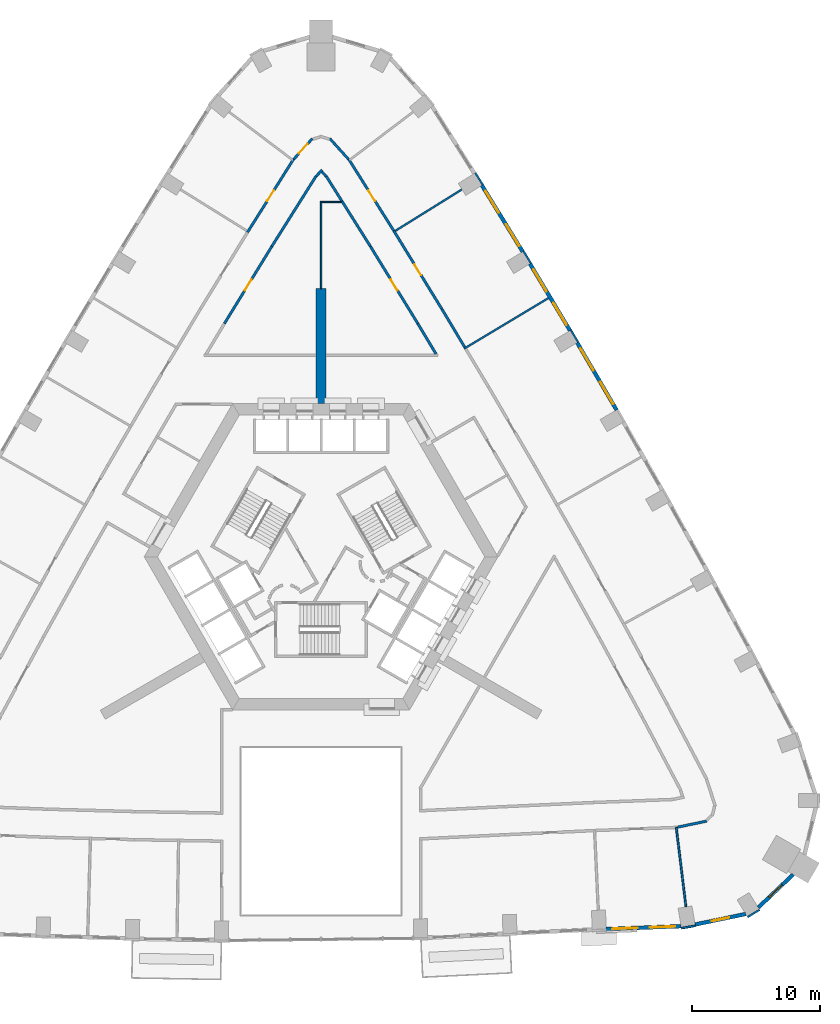
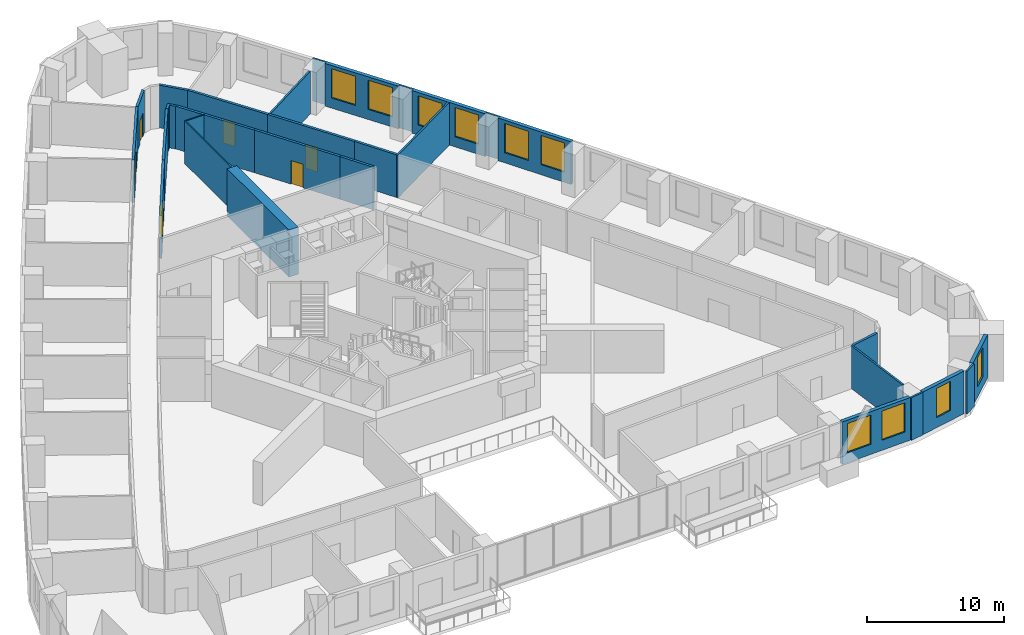
# One storey, part 10 of 14: 32 walls, 10 windows, 6 doors, 16 openings.
"""IFC4 building model written with IfcOpenShell, lengths in metres."""

from ifc_helpers import new_model, si_unit, direction, frame, frame_2d, origin, place, context, subcontext, project, spatial, rectangle, extrude, material, layer, layer_set, type_object, element, fill, save


model = new_model("IFC4")

# Units and contexts
model_context = context("Model", 3, precision=1e-05, world=origin(), true_north=direction((0.0, 1.0)))
body_context = subcontext(model_context, "Body", "Model", "MODEL_VIEW")
ifc_project = project(units=[si_unit("LENGTHUNIT", "METRE"), si_unit("AREAUNIT", "SQUARE_METRE"), si_unit("VOLUMEUNIT", "CUBIC_METRE"), si_unit("PLANEANGLEUNIT", "RADIAN"), si_unit("MASSUNIT", "GRAM", prefix="KILO")], contexts=[model_context])

# Site, building, storey
site_placement = place(None, origin())
site = spatial("IfcSite", under=ifc_project, at=site_placement, CompositionType="ELEMENT")
building_placement = place(site_placement, origin())
building = spatial("IfcBuilding", under=site, at=building_placement, Name="Entoto Arch Interchange Tower", CompositionType="ELEMENT")
storey_placement = place(building_placement, frame((0.0, 0.0, 116.0)))
storey = spatial("IfcBuildingStorey", under=building, at=storey_placement, Name="L25", CompositionType="ELEMENT", Elevation=116.0)

# Walls
ifc_material_1 = material(Name="Concrete C60/75", Category="concrete")
ifc_layer_1 = layer(ifc_material_1, 0.800048828125)
ifc_layer_set_1 = layer_set([ifc_layer_1], Name="Concrete C60/75")
wall_type_1 = type_object("IfcWallType", Name="Buttress wall 800 C60/75", PredefinedType="SHEAR", material=ifc_layer_set_1)
wall_1_placement = place(storey_placement, frame((0.0, 14.5, -0.39990234375), z_axis=(0.0, 0.0, 1.0), x_axis=(0.0, 1.0, 0.0)))
element("IfcWall", 1, at=wall_1_placement, inside=storey, type_object=wall_type_1, Name="Buttress wall N L25", PredefinedType="SHEAR", context=body_context, shape_type="SweptSolid", body=[
    extrude(rectangle(XDim=9.0, YDim=0.800048828125, at=frame_2d((4.5, 0.0))), origin(), (0.0, 0.0, 1.0), 4.199951171875),
])
ifc_material_2 = material(Name="Gypsum board partition on steel studs", Category="steel")
ifc_layer_2 = layer(ifc_material_2, 0.10009765625)
ifc_layer_set_2 = layer_set([ifc_layer_2], Name="Gypsum board partition on steel studs")
wall_type_2 = type_object("IfcWallType", Name="PARTITION 100", PredefinedType="PARTITIONING", material=ifc_layer_set_2)
wall_2_placement = place(storey_placement, frame((0.0, 23.5, 0.0), z_axis=(0.0, 0.0, 1.0), x_axis=(0.0, 1.0, 0.0)))
element("IfcWall", 2, at=wall_2_placement, inside=storey, type_object=wall_type_2, Name="wall:L25:p117", PredefinedType="PARTITIONING", context=body_context, shape_type="SweptSolid", body=[
    extrude(rectangle(XDim=6.85009765625, YDim=0.10009765625, at=frame_2d((3.425048828125, 0.0))), origin(), (0.0, 0.0, 1.0), 3.800048828125),
])
wall_3_placement = place(storey_placement, frame((0.050048828125, 30.300048828125, 0.0), z_axis=(0.0, 0.0, 1.0), x_axis=(1.0, 0.0, 0.0)))
element("IfcWall", 3, at=wall_3_placement, inside=storey, type_object=wall_type_2, Name="wall:L25:p118", PredefinedType="PARTITIONING", context=body_context, shape_type="SweptSolid", body=[
    extrude(rectangle(XDim=1.51806640625, YDim=0.10009765625, at=frame_2d((0.759033203125, 0.0))), origin(), (0.0, 0.0, 1.0), 3.800048828125),
])
ifc_layer_3 = layer(ifc_material_2, 0.14990234375)
ifc_layer_set_3 = layer_set([ifc_layer_3], Name="Gypsum board partition on steel studs")
wall_type_3 = type_object("IfcWallType", Name="PARTITION 150", PredefinedType="PARTITIONING", material=ifc_layer_set_3)
wall_4_placement = place(storey_placement, frame((27.822021484375, -18.7041015625, 0.0), z_axis=(0.0, 0.0, 1.0), x_axis=(0.121325411006, -0.992612786863, 0.0)))
element("IfcWall", 4, at=wall_4_placement, inside=storey, type_object=wall_type_3, Name="wall:L25:p120", PredefinedType="PARTITIONING", context=body_context, shape_type="SweptSolid", body=[
    extrude(rectangle(XDim=6.256103515625, YDim=0.14990234375, at=frame_2d((3.1279296875, 0.0))), origin(), (0.0, 0.0, 1.0), 3.800048828125),
])
wall_5_placement = place(storey_placement, frame((11.201904296875, 18.802978515625, 0.0), z_axis=(0.0, 0.0, 1.0), x_axis=(0.857778149162, 0.514020084062, 0.0)))
element("IfcWall", 5, at=wall_5_placement, inside=storey, type_object=wall_type_3, Name="wall:L25:p123", PredefinedType="PARTITIONING", context=body_context, shape_type="SweptSolid", body=[
    extrude(rectangle(XDim=7.7001953125, YDim=0.14990234375, at=frame_2d((3.85009765625, 0.0))), origin(), (0.0, 0.0, 1.0), 3.800048828125),
])
wall_6_placement = place(storey_placement, frame((5.81396484375, 28.031005859375, 0.0), z_axis=(0.0, 0.0, 1.0), x_axis=(0.849222099047, 0.528035819324, 0.0)))
element("IfcWall", 6, at=wall_6_placement, inside=storey, type_object=wall_type_3, Name="wall:L25:p124", PredefinedType="PARTITIONING", context=body_context, shape_type="SweptSolid", body=[
    extrude(rectangle(XDim=6.13037109375, YDim=0.14990234375, at=frame_2d((3.065185546875, 0.0))), origin(), (0.0, 0.0, 1.0), 3.800048828125),
])
ifc_layer_4 = layer(ifc_material_2, 0.199951171875)
ifc_layer_set_4 = layer_set([ifc_layer_4], Name="Gypsum board partition on steel studs")
wall_type_4 = type_object("IfcWallType", Name="PARTITION 200", PredefinedType="PARTITIONING", material=ifc_layer_set_4)
wall_7_placement = place(storey_placement, frame((9.0029296875, 18.385986328125, 0.0), z_axis=(0.0, 0.0, 1.0), x_axis=(-0.513900868925, 0.857849577092, 0.0)))
element("IfcWall", 7, at=wall_7_placement, inside=storey, type_object=wall_type_4, Name="wall:L25:p009", PredefinedType="PARTITIONING", context=body_context, shape_type="SweptSolid", body=[
    extrude(rectangle(XDim=2.77685546875, YDim=0.199951171875, at=frame_2d((1.388427734375, 0.0))), origin(), (0.0, 0.0, 1.0), 3.800048828125),
])

# Wall, opening, door
wall_8_placement = place(storey_placement, frame((7.575927734375, 20.76806640625, 0.0), z_axis=(0.0, 0.0, 1.0), x_axis=(-0.523390991338, 0.852092641786, 0.0)))
wall_8 = element("IfcWall", 8, at=wall_8_placement, inside=storey, type_object=wall_type_4, Name="wall:L25:p010", PredefinedType="PARTITIONING", context=body_context, shape_type="SweptSolid", body=[
    extrude(rectangle(XDim=7.09765625, YDim=0.199951171875, at=frame_2d((3.548828125, 0.0))), origin(), (0.0, 0.0, 1.0), 3.800048828125),
])
opening_1_placement = place(wall_8_placement, frame((3.049072265625, 0.0, 0.0)))
opening_1 = element("IfcOpeningElement", 9, at=opening_1_placement, cuts=wall_8, Name="Opening L25-D21", PredefinedType="OPENING", context=body_context, shape_type="SweptSolid", body=[
    extrude(rectangle(XDim=1.0, YDim=2.10009765625, at=frame_2d((0.5, 1.050048828125))), frame((0.0, 0.10986328125, 0.0), z_axis=(0.0, -1.0, 0.0), x_axis=(1.0, 0.0, 0.0)), (0.0, 0.0, 1.0), 0.219970703125),
])
ifc_material_3 = material(Name="Timber door leaf in Steel S235 frame", Category="steel")
door_type = type_object("IfcDoorType", Name="DOOR DS-10 1000x2100", OperationType="SINGLE_SWING_LEFT", PredefinedType="DOOR", material=ifc_material_3)
door_1_placement = place(opening_1_placement, origin())
door_1 = element("IfcDoor", 10, at=door_1_placement, inside=storey, type_object=door_type, Name="door:L25:21", OperationType="SINGLE_SWING_LEFT", OverallHeight=2.10009765625, OverallWidth=1.0, PredefinedType="DOOR", context=body_context, shape_type="SweptSolid", body=[
    extrude(rectangle(XDim=1.0, YDim=2.10009765625, at=frame_2d((0.5, 1.050048828125))), frame((0.0, 0.02490234375, 0.0), z_axis=(0.0, -1.0, 0.0), x_axis=(1.0, 0.0, 0.0)), (0.0, 0.0, 1.0), 0.050048828125),
])
fill(opening_1, door_1)

# Walls
wall_9_placement = place(storey_placement, frame((3.861083984375, 26.81591796875, 0.0), z_axis=(0.0, 0.0, 1.0), x_axis=(-0.532782188792, 0.846252408745, 0.0)))
element("IfcWall", 11, at=wall_9_placement, inside=storey, type_object=wall_type_4, Name="wall:L25:p011", PredefinedType="PARTITIONING", context=body_context, shape_type="SweptSolid", body=[
    extrude(rectangle(XDim=4.166748046875, YDim=0.199951171875, at=frame_2d((2.08349609375, 0.0))), origin(), (0.0, 0.0, 1.0), 3.800048828125),
])
wall_10_placement = place(storey_placement, frame((1.64111328125, 30.342041015625, 0.0), z_axis=(0.0, 0.0, 1.0), x_axis=(-0.532732797088, 0.846283502679, 0.0)))
element("IfcWall", 12, at=wall_10_placement, inside=storey, type_object=wall_type_4, Name="wall:L25:p012", PredefinedType="PARTITIONING", context=body_context, shape_type="SweptSolid", body=[
    extrude(rectangle(XDim=2.33349609375, YDim=0.199951171875, at=frame_2d((1.166748046875, 0.0))), origin(), (0.0, 0.0, 1.0), 3.800048828125),
])
wall_11_placement = place(storey_placement, frame((0.384033203125, 32.305908203125, 0.0), z_axis=(0.0, 0.0, 1.0), x_axis=(-0.669306261406, 0.742986627365, 0.0)))
element("IfcWall", 13, at=wall_11_placement, inside=storey, type_object=wall_type_4, Name="wall:L25:p013", PredefinedType="PARTITIONING", context=body_context, shape_type="SweptSolid", body=[
    extrude(rectangle(XDim=0.473876953125, YDim=0.199951171875, at=frame_2d((0.23681640625, 0.0))), origin(), (0.0, 0.0, 1.0), 3.800048828125),
])
wall_12_placement = place(storey_placement, frame((0.06689453125, 32.806884765625, 0.0), z_axis=(0.0, 0.0, 1.0), x_axis=(-0.66900475403, -0.74325812413, 0.0)))
element("IfcWall", 14, at=wall_12_placement, inside=storey, type_object=wall_type_4, Name="wall:L25:p014", PredefinedType="PARTITIONING", context=body_context, shape_type="SweptSolid", body=[
    extrude(rectangle(XDim=0.674072265625, YDim=0.199951171875, at=frame_2d((0.3369140625, 0.0))), origin(), (0.0, 0.0, 1.0), 3.800048828125),
])
wall_13_placement = place(storey_placement, frame((-0.39794921875, 32.31689453125, 0.0), z_axis=(0.0, 0.0, 1.0), x_axis=(-0.53276445777, -0.846263571553, 0.0)))
element("IfcWall", 15, at=wall_13_placement, inside=storey, type_object=wall_type_4, Name="wall:L25:p015", PredefinedType="PARTITIONING", context=body_context, shape_type="SweptSolid", body=[
    extrude(rectangle(XDim=6.500244140625, YDim=0.199951171875, at=frame_2d((3.25, 0.0))), origin(), (0.0, 0.0, 1.0), 3.800048828125),
])

# Wall, opening, door
wall_14_placement = place(storey_placement, frame((-3.861083984375, 26.81591796875, 0.0), z_axis=(0.0, 0.0, 1.0), x_axis=(-0.523390991338, -0.852092641786, 0.0)))
wall_14 = element("IfcWall", 16, at=wall_14_placement, inside=storey, type_object=wall_type_4, Name="wall:L25:p016", PredefinedType="PARTITIONING", context=body_context, shape_type="SweptSolid", body=[
    extrude(rectangle(XDim=7.09765625, YDim=0.199951171875, at=frame_2d((3.548828125, 0.0))), origin(), (0.0, 0.0, 1.0), 3.800048828125),
])
opening_2_placement = place(wall_14_placement, frame((3.049072265625, 0.0, 0.0)))
opening_2 = element("IfcOpeningElement", 17, at=opening_2_placement, cuts=wall_14, Name="Opening L25-D22", PredefinedType="OPENING", context=body_context, shape_type="SweptSolid", body=[
    extrude(rectangle(XDim=1.0, YDim=2.10009765625, at=frame_2d((0.5, 1.050048828125))), frame((0.0, 0.10986328125, 0.0), z_axis=(0.0, -1.0, 0.0), x_axis=(1.0, 0.0, 0.0)), (0.0, 0.0, 1.0), 0.219970703125),
])
door_2_placement = place(opening_2_placement, origin())
door_2 = element("IfcDoor", 18, at=door_2_placement, inside=storey, type_object=door_type, Name="door:L25:22", OperationType="SINGLE_SWING_LEFT", OverallHeight=2.10009765625, OverallWidth=1.0, PredefinedType="DOOR", context=body_context, shape_type="SweptSolid", body=[
    extrude(rectangle(XDim=1.0, YDim=2.10009765625, at=frame_2d((0.5, 1.050048828125))), frame((0.0, 0.02490234375, 0.0), z_axis=(0.0, -1.0, 0.0), x_axis=(1.0, 0.0, 0.0)), (0.0, 0.0, 1.0), 0.050048828125),
])
fill(opening_2, door_2)

# Wall
wall_15_placement = place(storey_placement, frame((30.208984375, -18.2080078125, 0.0), z_axis=(0.0, 0.0, 1.0), x_axis=(-0.979049860969, -0.203620651545, 0.0)))
element("IfcWall", 19, at=wall_15_placement, inside=storey, type_object=wall_type_4, Name="wall:L25:p044", PredefinedType="PARTITIONING", context=body_context, shape_type="SweptSolid", body=[
    extrude(rectangle(XDim=2.338134765625, YDim=0.199951171875, at=frame_2d((1.1689453125, 0.0))), origin(), (0.0, 0.0, 1.0), 3.800048828125),
])

# Wall, opening, door
wall_16_placement = place(storey_placement, frame((5.68994140625, 28.0419921875, 0.0), z_axis=(0.0, 0.0, 1.0), x_axis=(0.523381868706, -0.852098245222, 0.0)))
wall_16 = element("IfcWall", 20, at=wall_16_placement, inside=storey, type_object=wall_type_4, Name="wall:L25:p050", PredefinedType="PARTITIONING", context=body_context, shape_type="SweptSolid", body=[
    extrude(rectangle(XDim=7.197509765625, YDim=0.199951171875, at=frame_2d((3.5986328125, 0.0))), origin(), (0.0, 0.0, 1.0), 3.800048828125),
])
opening_3_placement = place(wall_16_placement, frame((3.09912109375, 0.0, 0.0)))
opening_3 = element("IfcOpeningElement", 21, at=opening_3_placement, cuts=wall_16, Name="Opening L25-D06", PredefinedType="OPENING", context=body_context, shape_type="SweptSolid", body=[
    extrude(rectangle(XDim=1.0, YDim=2.10009765625, at=frame_2d((0.5, 1.050048828125))), frame((0.0, 0.10986328125, 0.0), z_axis=(0.0, -1.0, 0.0), x_axis=(1.0, 0.0, 0.0)), (0.0, 0.0, 1.0), 0.219970703125),
])
door_3_placement = place(opening_3_placement, origin())
door_3 = element("IfcDoor", 22, at=door_3_placement, inside=storey, type_object=door_type, Name="door:L25:06", OperationType="SINGLE_SWING_LEFT", OverallHeight=2.10009765625, OverallWidth=1.0, PredefinedType="DOOR", context=body_context, shape_type="SweptSolid", body=[
    extrude(rectangle(XDim=1.0, YDim=2.10009765625, at=frame_2d((0.5, 1.050048828125))), frame((0.0, 0.02490234375, 0.0), z_axis=(0.0, -1.0, 0.0), x_axis=(1.0, 0.0, 0.0)), (0.0, 0.0, 1.0), 0.050048828125),
])
fill(opening_3, door_3)

# Wall
wall_17_placement = place(storey_placement, frame((9.45703125, 21.908935546875, 0.0), z_axis=(0.0, 0.0, 1.0), x_axis=(0.513949903813, -0.857820200491, 0.0)))
element("IfcWall", 23, at=wall_17_placement, inside=storey, type_object=wall_type_4, Name="wall:L25:p051", PredefinedType="PARTITIONING", context=body_context, shape_type="SweptSolid", body=[
    extrude(rectangle(XDim=3.48681640625, YDim=0.199951171875, at=frame_2d((1.743408203125, 0.0))), origin(), (0.0, 0.0, 1.0), 3.800048828125),
])

# Wall, opening, door
wall_18_placement = place(storey_placement, frame((2.158935546875, 33.64892578125, 0.0), z_axis=(0.0, 0.0, 1.0), x_axis=(0.532784927572, -0.846250684462, 0.0)))
wall_18 = element("IfcWall", 24, at=wall_18_placement, inside=storey, type_object=wall_type_4, Name="wall:L25:p052", PredefinedType="PARTITIONING", context=body_context, shape_type="SweptSolid", body=[
    extrude(rectangle(XDim=6.625732421875, YDim=0.199951171875, at=frame_2d((3.31298828125, 0.0))), origin(), (0.0, 0.0, 1.0), 3.800048828125),
])
opening_4_placement = place(wall_18_placement, frame((2.887939453125, 0.0, 0.0)))
opening_4 = element("IfcOpeningElement", 25, at=opening_4_placement, cuts=wall_18, Name="Opening L25-D07", PredefinedType="OPENING", context=body_context, shape_type="SweptSolid", body=[
    extrude(rectangle(XDim=1.0, YDim=2.10009765625, at=frame_2d((0.5, 1.050048828125))), frame((0.0, 0.10986328125, 0.0), z_axis=(0.0, -1.0, 0.0), x_axis=(1.0, 0.0, 0.0)), (0.0, 0.0, 1.0), 0.219970703125),
])
door_4_placement = place(opening_4_placement, origin())
door_4 = element("IfcDoor", 26, at=door_4_placement, inside=storey, type_object=door_type, Name="door:L25:07", OperationType="SINGLE_SWING_LEFT", OverallHeight=2.10009765625, OverallWidth=1.0, PredefinedType="DOOR", context=body_context, shape_type="SweptSolid", body=[
    extrude(rectangle(XDim=1.0, YDim=2.10009765625, at=frame_2d((0.5, 1.050048828125))), frame((0.0, 0.02490234375, 0.0), z_axis=(0.0, -1.0, 0.0), x_axis=(1.0, 0.0, 0.0)), (0.0, 0.0, 1.0), 0.050048828125),
])
fill(opening_4, door_4)

wall_19_placement = place(storey_placement, frame((-2.14501953125, 33.638916015625, 0.0), z_axis=(0.0, 0.0, 1.0), x_axis=(0.66965737341, 0.742670184023, 0.0)))
wall_19 = element("IfcWall", 27, at=wall_19_placement, inside=storey, type_object=wall_type_4, Name="wall:L25:p053", PredefinedType="PARTITIONING", context=body_context, shape_type="SweptSolid", body=[
    extrude(rectangle(XDim=2.18017578125, YDim=0.199951171875, at=frame_2d((1.090087890625, 0.0))), origin(), (0.0, 0.0, 1.0), 3.800048828125),
])
opening_5_placement = place(wall_19_placement, frame((0.590087890625, 0.0, 0.0)))
opening_5 = element("IfcOpeningElement", 28, at=opening_5_placement, cuts=wall_19, Name="Opening L25-D08", PredefinedType="OPENING", context=body_context, shape_type="SweptSolid", body=[
    extrude(rectangle(XDim=1.0, YDim=2.10009765625, at=frame_2d((0.5, 1.050048828125))), frame((0.0, 0.10986328125, 0.0), z_axis=(0.0, -1.0, 0.0), x_axis=(1.0, 0.0, 0.0)), (0.0, 0.0, 1.0), 0.219970703125),
])
door_5_placement = place(opening_5_placement, origin())
door_5 = element("IfcDoor", 29, at=door_5_placement, inside=storey, type_object=door_type, Name="door:L25:08", OperationType="SINGLE_SWING_LEFT", OverallHeight=2.10009765625, OverallWidth=1.0, PredefinedType="DOOR", context=body_context, shape_type="SweptSolid", body=[
    extrude(rectangle(XDim=1.0, YDim=2.10009765625, at=frame_2d((0.5, 1.050048828125))), frame((0.0, 0.02490234375, 0.0), z_axis=(0.0, -1.0, 0.0), x_axis=(1.0, 0.0, 0.0)), (0.0, 0.0, 1.0), 0.050048828125),
])
fill(opening_5, door_5)

# Wall
wall_20_placement = place(storey_placement, frame((0.68505859375, 35.258056640625, 0.0), z_axis=(0.0, 0.0, 1.0), x_axis=(0.66965737341, -0.742670184023, 0.0)))
element("IfcWall", 30, at=wall_20_placement, inside=storey, type_object=wall_type_4, Name="wall:L25:p056", PredefinedType="PARTITIONING", context=body_context, shape_type="SweptSolid", body=[
    extrude(rectangle(XDim=2.18017578125, YDim=0.199951171875, at=frame_2d((1.090087890625, 0.0))), origin(), (0.0, 0.0, 1.0), 3.800048828125),
])

# Wall, opening, door
wall_21_placement = place(storey_placement, frame((-5.76904296875, 27.9150390625, 0.0), z_axis=(0.0, 0.0, 1.0), x_axis=(0.532800846123, 0.846240662206, 0.0)))
wall_21 = element("IfcWall", 31, at=wall_21_placement, inside=storey, type_object=wall_type_4, Name="wall:L25:p057", PredefinedType="PARTITIONING", context=body_context, shape_type="SweptSolid", body=[
    extrude(rectangle(XDim=6.775634765625, YDim=0.199951171875, at=frame_2d((3.3876953125, 0.0))), origin(), (0.0, 0.0, 1.0), 3.800048828125),
])
opening_6_placement = place(wall_21_placement, frame((2.887939453125, 0.0, 0.0)))
opening_6 = element("IfcOpeningElement", 32, at=opening_6_placement, cuts=wall_21, Name="Opening L25-D09", PredefinedType="OPENING", context=body_context, shape_type="SweptSolid", body=[
    extrude(rectangle(XDim=1.0, YDim=2.10009765625, at=frame_2d((0.5, 1.050048828125))), frame((0.0, 0.10986328125, 0.0), z_axis=(0.0, -1.0, 0.0), x_axis=(1.0, 0.0, 0.0)), (0.0, 0.0, 1.0), 0.219970703125),
])
door_6_placement = place(opening_6_placement, origin())
door_6 = element("IfcDoor", 33, at=door_6_placement, inside=storey, type_object=door_type, Name="door:L25:09", OperationType="SINGLE_SWING_LEFT", OverallHeight=2.10009765625, OverallWidth=1.0, PredefinedType="DOOR", context=body_context, shape_type="SweptSolid", body=[
    extrude(rectangle(XDim=1.0, YDim=2.10009765625, at=frame_2d((0.5, 1.050048828125))), frame((0.0, 0.02490234375, 0.0), z_axis=(0.0, -1.0, 0.0), x_axis=(1.0, 0.0, 0.0)), (0.0, 0.0, 1.0), 0.050048828125),
])
fill(opening_6, door_6)

# Wall, openings, windows
ifc_material_4 = material(Name="Welded tuff (ignimbrite) cladding, warm buff", Category="masonry")
ifc_layer_5 = layer(ifc_material_4, 0.300048828125)
ifc_layer_set_5 = layer_set([ifc_layer_5], Name="Welded tuff (ignimbrite) cladding, warm buff")
wall_type_5 = type_object("IfcWallType", Name="STONE INFILL WALL 300", PredefinedType="STANDARD", material=ifc_layer_set_5)
wall_22_placement = place(storey_placement, frame((22.33203125, -26.669921875, 0.0), z_axis=(0.0, 0.0, 1.0), x_axis=(0.999267908582, 0.038257638169, 0.0)))
wall_22 = element("IfcWall", 34, at=wall_22_placement, inside=storey, type_object=wall_type_5, Name="Facade wall S-07 L25", PredefinedType="STANDARD", context=body_context, shape_type="SweptSolid", body=[
    extrude(rectangle(XDim=5.87744140625, YDim=0.300048828125, at=frame_2d((2.938720703125, 0.0))), origin(), (0.0, 0.0, 1.0), 3.800048828125),
])
opening_7_placement = place(wall_22_placement, frame((0.468994140625, 0.0, 0.89990234375)))
opening_7 = element("IfcOpeningElement", 35, at=opening_7_placement, cuts=wall_22, Name="Opening WO-C", PredefinedType="OPENING", context=body_context, shape_type="SweptSolid", body=[
    extrude(rectangle(XDim=2.0, YDim=2.60009765625, at=frame_2d((1.0, 1.300048828125))), frame((0.0, 0.16015625, 0.0), z_axis=(0.0, -1.0, 0.0), x_axis=(1.0, 0.0, 0.0)), (0.0, 0.0, 1.0), 0.320068359375),
])
opening_8_placement = place(wall_22_placement, frame((3.407958984375, 0.0, 0.89990234375)))
opening_8 = element("IfcOpeningElement", 36, at=opening_8_placement, cuts=wall_22, Name="Opening WO-C", PredefinedType="OPENING", context=body_context, shape_type="SweptSolid", body=[
    extrude(rectangle(XDim=2.0, YDim=2.60009765625, at=frame_2d((1.0, 1.300048828125))), frame((0.0, 0.16015625, 0.0), z_axis=(0.0, -1.0, 0.0), x_axis=(1.0, 0.0, 0.0)), (0.0, 0.0, 1.0), 0.320068359375),
])
ifc_material_5 = material(Name="Clear glass, low-e double glazed", Category="glass")
window_type_1 = type_object("IfcWindowType", Name="WINDOW WO-C 2000x2600", PartitioningType="DOUBLE_PANEL_VERTICAL", PredefinedType="WINDOW", material=ifc_material_5)
window_1_placement = place(opening_7_placement, origin())
window_1 = element("IfcWindow", 37, at=window_1_placement, inside=storey, type_object=window_type_1, Name="Window WO-C S-07 L25", OverallHeight=2.60009765625, OverallWidth=2.0, PartitioningType="SINGLE_PANEL", PredefinedType="WINDOW", context=body_context, shape_type="SweptSolid", body=[
    extrude(rectangle(XDim=2.0, YDim=2.60009765625, at=frame_2d((1.0, 1.300048828125))), frame((0.0, 0.030029296875, 0.0), z_axis=(0.0, -1.0, 0.0), x_axis=(1.0, 0.0, 0.0)), (0.0, 0.0, 1.0), 0.06005859375),
])
fill(opening_7, window_1)
window_2_placement = place(opening_8_placement, origin())
window_2 = element("IfcWindow", 38, at=window_2_placement, inside=storey, type_object=window_type_1, Name="Window WO-C S-07 L25", OverallHeight=2.60009765625, OverallWidth=2.0, PartitioningType="SINGLE_PANEL", PredefinedType="WINDOW", context=body_context, shape_type="SweptSolid", body=[
    extrude(rectangle(XDim=2.0, YDim=2.60009765625, at=frame_2d((1.0, 1.300048828125))), frame((0.0, 0.030029296875, 0.0), z_axis=(0.0, -1.0, 0.0), x_axis=(1.0, 0.0, 0.0)), (0.0, 0.0, 1.0), 0.06005859375),
])
fill(opening_8, window_2)

# Wall, opening, window
wall_23_placement = place(storey_placement, frame((29.297119140625, -26.31298828125, 0.0), z_axis=(0.0, 0.0, 1.0), x_axis=(0.979080614496, 0.203472726227, 0.0)))
wall_23 = element("IfcWall", 39, at=wall_23_placement, inside=storey, type_object=wall_type_5, Name="Facade wall SE-01 L25", PredefinedType="STANDARD", context=body_context, shape_type="SweptSolid", body=[
    extrude(rectangle(XDim=4.049560546875, YDim=0.300048828125, at=frame_2d((2.02490234375, 0.0))), origin(), (0.0, 0.0, 1.0), 3.800048828125),
])
opening_9_placement = place(wall_23_placement, frame((1.324951171875, 0.0, 0.89990234375)))
opening_9 = element("IfcOpeningElement", 40, at=opening_9_placement, cuts=wall_23, Name="Opening WO-B", PredefinedType="OPENING", context=body_context, shape_type="SweptSolid", body=[
    extrude(rectangle(XDim=1.39990234375, YDim=2.60009765625, at=frame_2d((0.699951171875, 1.300048828125))), frame((0.0, 0.16015625, 0.0), z_axis=(0.0, -1.0, 0.0), x_axis=(1.0, 0.0, 0.0)), (0.0, 0.0, 1.0), 0.320068359375),
])
window_type_2 = type_object("IfcWindowType", Name="WINDOW WO-B 1400x2600", PartitioningType="DOUBLE_PANEL_VERTICAL", PredefinedType="WINDOW", material=ifc_material_5)
window_3_placement = place(opening_9_placement, origin())
window_3 = element("IfcWindow", 41, at=window_3_placement, inside=storey, type_object=window_type_2, Name="Window WO-B SE-01 L25", OverallHeight=2.60009765625, OverallWidth=1.39990234375, PartitioningType="SINGLE_PANEL", PredefinedType="WINDOW", context=body_context, shape_type="SweptSolid", body=[
    extrude(rectangle(XDim=1.39990234375, YDim=2.60009765625, at=frame_2d((0.699951171875, 1.300048828125))), frame((0.0, 0.030029296875, 0.0), z_axis=(0.0, -1.0, 0.0), x_axis=(1.0, 0.0, 0.0)), (0.0, 0.0, 1.0), 0.06005859375),
])
fill(opening_9, window_3)

wall_24_placement = place(storey_placement, frame((34.242919921875, -24.989013671875, 0.0), z_axis=(0.0, 0.0, 1.0), x_axis=(0.726076674532, 0.687613745281, 0.0)))
wall_24 = element("IfcWall", 42, at=wall_24_placement, inside=storey, type_object=wall_type_5, Name="Facade wall SE-02 L25", PredefinedType="STANDARD", context=body_context, shape_type="SweptSolid", body=[
    extrude(rectangle(XDim=3.776611328125, YDim=0.300048828125, at=frame_2d((1.88818359375, 0.0))), origin(), (0.0, 0.0, 1.0), 3.800048828125),
])
opening_10_placement = place(wall_24_placement, frame((1.18798828125, 0.0, 0.89990234375)))
opening_10 = element("IfcOpeningElement", 43, at=opening_10_placement, cuts=wall_24, Name="Opening WO-B", PredefinedType="OPENING", context=body_context, shape_type="SweptSolid", body=[
    extrude(rectangle(XDim=1.39990234375, YDim=2.60009765625, at=frame_2d((0.699951171875, 1.300048828125))), frame((0.0, 0.16015625, 0.0), z_axis=(0.0, -1.0, 0.0), x_axis=(1.0, 0.0, 0.0)), (0.0, 0.0, 1.0), 0.320068359375),
])
window_4_placement = place(opening_10_placement, origin())
window_4 = element("IfcWindow", 44, at=window_4_placement, inside=storey, type_object=window_type_2, Name="Window WO-B SE-02 L25", OverallHeight=2.60009765625, OverallWidth=1.39990234375, PartitioningType="SINGLE_PANEL", PredefinedType="WINDOW", context=body_context, shape_type="SweptSolid", body=[
    extrude(rectangle(XDim=1.39990234375, YDim=2.60009765625, at=frame_2d((0.699951171875, 1.300048828125))), frame((0.0, 0.030029296875, 0.0), z_axis=(0.0, -1.0, 0.0), x_axis=(1.0, 0.0, 0.0)), (0.0, 0.0, 1.0), 0.06005859375),
])
fill(opening_10, window_4)

# Wall, openings, windows
wall_25_placement = place(storey_placement, frame((23.14892578125, 13.9990234375, 0.0), z_axis=(0.0, 0.0, 1.0), x_axis=(-0.504790055126, 0.863242144619, 0.0)))
wall_25 = element("IfcWall", 45, at=wall_25_placement, inside=storey, type_object=wall_type_5, Name="Facade wall NE-05 L25", PredefinedType="STANDARD", context=body_context, shape_type="SweptSolid", body=[
    extrude(rectangle(XDim=6.109375, YDim=0.300048828125, at=frame_2d((3.0546875, 0.0))), origin(), (0.0, 0.0, 1.0), 3.800048828125),
])
opening_11_placement = place(wall_25_placement, frame((0.527099609375, 0.0, 0.89990234375)))
opening_11 = element("IfcOpeningElement", 46, at=opening_11_placement, cuts=wall_25, Name="Opening WO-C", PredefinedType="OPENING", context=body_context, shape_type="SweptSolid", body=[
    extrude(rectangle(XDim=2.0, YDim=2.60009765625, at=frame_2d((1.0, 1.300048828125))), frame((0.0, 0.16015625, 0.0), z_axis=(0.0, -1.0, 0.0), x_axis=(1.0, 0.0, 0.0)), (0.0, 0.0, 1.0), 0.320068359375),
])
opening_12_placement = place(wall_25_placement, frame((3.58203125, 0.0, 0.89990234375)))
opening_12 = element("IfcOpeningElement", 47, at=opening_12_placement, cuts=wall_25, Name="Opening WO-C", PredefinedType="OPENING", context=body_context, shape_type="SweptSolid", body=[
    extrude(rectangle(XDim=2.0, YDim=2.60009765625, at=frame_2d((1.0, 1.300048828125))), frame((0.0, 0.16015625, 0.0), z_axis=(0.0, -1.0, 0.0), x_axis=(1.0, 0.0, 0.0)), (0.0, 0.0, 1.0), 0.320068359375),
])
window_5_placement = place(opening_11_placement, origin())
window_5 = element("IfcWindow", 48, at=window_5_placement, inside=storey, type_object=window_type_1, Name="Window WO-C NE-05 L25", OverallHeight=2.60009765625, OverallWidth=2.0, PartitioningType="SINGLE_PANEL", PredefinedType="WINDOW", context=body_context, shape_type="SweptSolid", body=[
    extrude(rectangle(XDim=2.0, YDim=2.60009765625, at=frame_2d((1.0, 1.300048828125))), frame((0.0, 0.030029296875, 0.0), z_axis=(0.0, -1.0, 0.0), x_axis=(1.0, 0.0, 0.0)), (0.0, 0.0, 1.0), 0.06005859375),
])
fill(opening_11, window_5)
window_6_placement = place(opening_12_placement, origin())
window_6 = element("IfcWindow", 49, at=window_6_placement, inside=storey, type_object=window_type_1, Name="Window WO-C NE-05 L25", OverallHeight=2.60009765625, OverallWidth=2.0, PartitioningType="SINGLE_PANEL", PredefinedType="WINDOW", context=body_context, shape_type="SweptSolid", body=[
    extrude(rectangle(XDim=2.0, YDim=2.60009765625, at=frame_2d((1.0, 1.300048828125))), frame((0.0, 0.030029296875, 0.0), z_axis=(0.0, -1.0, 0.0), x_axis=(1.0, 0.0, 0.0)), (0.0, 0.0, 1.0), 0.06005859375),
])
fill(opening_12, window_6)

wall_26_placement = place(storey_placement, frame((19.506103515625, 20.217041015625, 0.0), z_axis=(0.0, 0.0, 1.0), x_axis=(-0.514078503149, 0.857743139057, 0.0)))
wall_26 = element("IfcWall", 50, at=wall_26_placement, inside=storey, type_object=wall_type_5, Name="Facade wall NE-06 L25", PredefinedType="STANDARD", context=body_context, shape_type="SweptSolid", body=[
    extrude(rectangle(XDim=6.110107421875, YDim=0.300048828125, at=frame_2d((3.05517578125, 0.0))), origin(), (0.0, 0.0, 1.0), 3.800048828125),
])
opening_13_placement = place(wall_26_placement, frame((0.528076171875, 0.0, 0.89990234375)))
opening_13 = element("IfcOpeningElement", 51, at=opening_13_placement, cuts=wall_26, Name="Opening WO-C", PredefinedType="OPENING", context=body_context, shape_type="SweptSolid", body=[
    extrude(rectangle(XDim=2.0, YDim=2.60009765625, at=frame_2d((1.0, 1.300048828125))), frame((0.0, 0.16015625, 0.0), z_axis=(0.0, -1.0, 0.0), x_axis=(1.0, 0.0, 0.0)), (0.0, 0.0, 1.0), 0.320068359375),
])
opening_14_placement = place(wall_26_placement, frame((3.5830078125, 0.0, 0.89990234375)))
opening_14 = element("IfcOpeningElement", 52, at=opening_14_placement, cuts=wall_26, Name="Opening WO-C", PredefinedType="OPENING", context=body_context, shape_type="SweptSolid", body=[
    extrude(rectangle(XDim=2.0, YDim=2.60009765625, at=frame_2d((1.0, 1.300048828125))), frame((0.0, 0.16015625, 0.0), z_axis=(0.0, -1.0, 0.0), x_axis=(1.0, 0.0, 0.0)), (0.0, 0.0, 1.0), 0.320068359375),
])
window_7_placement = place(opening_13_placement, origin())
window_7 = element("IfcWindow", 53, at=window_7_placement, inside=storey, type_object=window_type_1, Name="Window WO-C NE-06 L25", OverallHeight=2.60009765625, OverallWidth=2.0, PartitioningType="SINGLE_PANEL", PredefinedType="WINDOW", context=body_context, shape_type="SweptSolid", body=[
    extrude(rectangle(XDim=2.0, YDim=2.60009765625, at=frame_2d((1.0, 1.300048828125))), frame((0.0, 0.030029296875, 0.0), z_axis=(0.0, -1.0, 0.0), x_axis=(1.0, 0.0, 0.0)), (0.0, 0.0, 1.0), 0.06005859375),
])
fill(opening_13, window_7)
window_8_placement = place(opening_14_placement, origin())
window_8 = element("IfcWindow", 54, at=window_8_placement, inside=storey, type_object=window_type_1, Name="Window WO-C NE-06 L25", OverallHeight=2.60009765625, OverallWidth=2.0, PartitioningType="SINGLE_PANEL", PredefinedType="WINDOW", context=body_context, shape_type="SweptSolid", body=[
    extrude(rectangle(XDim=2.0, YDim=2.60009765625, at=frame_2d((1.0, 1.300048828125))), frame((0.0, 0.030029296875, 0.0), z_axis=(0.0, -1.0, 0.0), x_axis=(1.0, 0.0, 0.0)), (0.0, 0.0, 1.0), 0.06005859375),
])
fill(opening_14, window_8)

wall_27_placement = place(storey_placement, frame((15.7958984375, 26.39697265625, 0.0), z_axis=(0.0, 0.0, 1.0), x_axis=(-0.523417276981, 0.852076495485, 0.0)))
wall_27 = element("IfcWall", 55, at=wall_27_placement, inside=storey, type_object=wall_type_5, Name="Facade wall NE-07 L25", PredefinedType="STANDARD", context=body_context, shape_type="SweptSolid", body=[
    extrude(rectangle(XDim=6.10986328125, YDim=0.300048828125, at=frame_2d((3.054931640625, 0.0))), origin(), (0.0, 0.0, 1.0), 3.800048828125),
])
opening_15_placement = place(wall_27_placement, frame((0.527099609375, 0.0, 0.89990234375)))
opening_15 = element("IfcOpeningElement", 56, at=opening_15_placement, cuts=wall_27, Name="Opening WO-C", PredefinedType="OPENING", context=body_context, shape_type="SweptSolid", body=[
    extrude(rectangle(XDim=2.0, YDim=2.60009765625, at=frame_2d((1.0, 1.300048828125))), frame((0.0, 0.16015625, 0.0), z_axis=(0.0, -1.0, 0.0), x_axis=(1.0, 0.0, 0.0)), (0.0, 0.0, 1.0), 0.320068359375),
])
opening_16_placement = place(wall_27_placement, frame((3.58203125, 0.0, 0.89990234375)))
opening_16 = element("IfcOpeningElement", 57, at=opening_16_placement, cuts=wall_27, Name="Opening WO-C", PredefinedType="OPENING", context=body_context, shape_type="SweptSolid", body=[
    extrude(rectangle(XDim=2.0, YDim=2.60009765625, at=frame_2d((1.0, 1.300048828125))), frame((0.0, 0.16015625, 0.0), z_axis=(0.0, -1.0, 0.0), x_axis=(1.0, 0.0, 0.0)), (0.0, 0.0, 1.0), 0.320068359375),
])
window_9_placement = place(opening_15_placement, origin())
window_9 = element("IfcWindow", 58, at=window_9_placement, inside=storey, type_object=window_type_1, Name="Window WO-C NE-07 L25", OverallHeight=2.60009765625, OverallWidth=2.0, PartitioningType="SINGLE_PANEL", PredefinedType="WINDOW", context=body_context, shape_type="SweptSolid", body=[
    extrude(rectangle(XDim=2.0, YDim=2.60009765625, at=frame_2d((1.0, 1.300048828125))), frame((0.0, 0.030029296875, 0.0), z_axis=(0.0, -1.0, 0.0), x_axis=(1.0, 0.0, 0.0)), (0.0, 0.0, 1.0), 0.06005859375),
])
fill(opening_15, window_9)
window_10_placement = place(opening_16_placement, origin())
window_10 = element("IfcWindow", 59, at=window_10_placement, inside=storey, type_object=window_type_1, Name="Window WO-C NE-07 L25", OverallHeight=2.60009765625, OverallWidth=2.0, PartitioningType="SINGLE_PANEL", PredefinedType="WINDOW", context=body_context, shape_type="SweptSolid", body=[
    extrude(rectangle(XDim=2.0, YDim=2.60009765625, at=frame_2d((1.0, 1.300048828125))), frame((0.0, 0.030029296875, 0.0), z_axis=(0.0, -1.0, 0.0), x_axis=(1.0, 0.0, 0.0)), (0.0, 0.0, 1.0), 0.06005859375),
])
fill(opening_16, window_10)

# Walls
ifc_layer_6 = layer(ifc_material_4, 0.14990234375)
ifc_layer_set_6 = layer_set([ifc_layer_6], Name="Welded tuff (ignimbrite) cladding, warm buff")
wall_type_6 = type_object("IfcWallType", Name="STONE PIER CLADDING 150", PredefinedType="STANDARD", material=ifc_layer_set_6)
wall_28_placement = place(storey_placement, frame((20.133056640625, 19.31201171875, 0.0), z_axis=(0.0, 0.0, 1.0), x_axis=(-0.510082245696, 0.860125631885, 0.0)))
element("IfcWall", 60, at=wall_28_placement, inside=storey, type_object=wall_type_6, Name="Stone pier NE06 L25", PredefinedType="STANDARD", context=body_context, shape_type="SweptSolid", body=[
    extrude(rectangle(XDim=1.099853515625, YDim=0.14990234375, at=frame_2d((0.5498046875, 0.0))), origin(), (0.0, 0.0, 1.0), 3.800048828125),
])
wall_29_placement = place(storey_placement, frame((16.43310546875, 25.498046875, 0.0), z_axis=(0.0, 0.0, 1.0), x_axis=(-0.519869515594, 0.854245682901, 0.0)))
element("IfcWall", 61, at=wall_29_placement, inside=storey, type_object=wall_type_6, Name="Stone pier NE07 L25", PredefinedType="STANDARD", context=body_context, shape_type="SweptSolid", body=[
    extrude(rectangle(XDim=1.100341796875, YDim=0.14990234375, at=frame_2d((0.55029296875, 0.0))), origin(), (0.0, 0.0, 1.0), 3.800048828125),
])
wall_30_placement = place(storey_placement, frame((12.666015625, 31.64404296875, 0.0), z_axis=(0.0, 0.0, 1.0), x_axis=(-0.52997899071, 0.848010771987, 0.0)))
element("IfcWall", 62, at=wall_30_placement, inside=storey, type_object=wall_type_6, Name="Stone pier NE08 L25", PredefinedType="STANDARD", context=body_context, shape_type="SweptSolid", body=[
    extrude(rectangle(XDim=1.10009765625, YDim=0.14990234375, at=frame_2d((0.550048828125, 0.0))), origin(), (0.0, 0.0, 1.0), 3.800048828125),
])
wall_31_placement = place(storey_placement, frame((28.22900390625, -26.592041015625, 0.0), z_axis=(0.0, 0.0, 1.0), x_axis=(0.985763338892, 0.168138751323, 0.0)))
element("IfcWall", 63, at=wall_31_placement, inside=storey, type_object=wall_type_6, Name="Stone pier S08 L25", PredefinedType="STANDARD", context=body_context, shape_type="SweptSolid", body=[
    extrude(rectangle(XDim=1.1005859375, YDim=0.14990234375, at=frame_2d((0.55029296875, 0.0))), origin(), (0.0, 0.0, 1.0), 3.800048828125),
])
wall_32_placement = place(storey_placement, frame((33.406005859375, -25.72802734375, 0.0), z_axis=(0.0, 0.0, 1.0), x_axis=(0.854245682901, 0.519869515594, 0.0)))
element("IfcWall", 64, at=wall_32_placement, inside=storey, type_object=wall_type_6, Name="Stone pier SE1 L25", PredefinedType="STANDARD", context=body_context, shape_type="SweptSolid", body=[
    extrude(rectangle(XDim=1.100341796875, YDim=0.14990234375, at=frame_2d((0.55029296875, 0.0))), origin(), (0.0, 0.0, 1.0), 3.800048828125),
])

save(model, "model.ifc")
